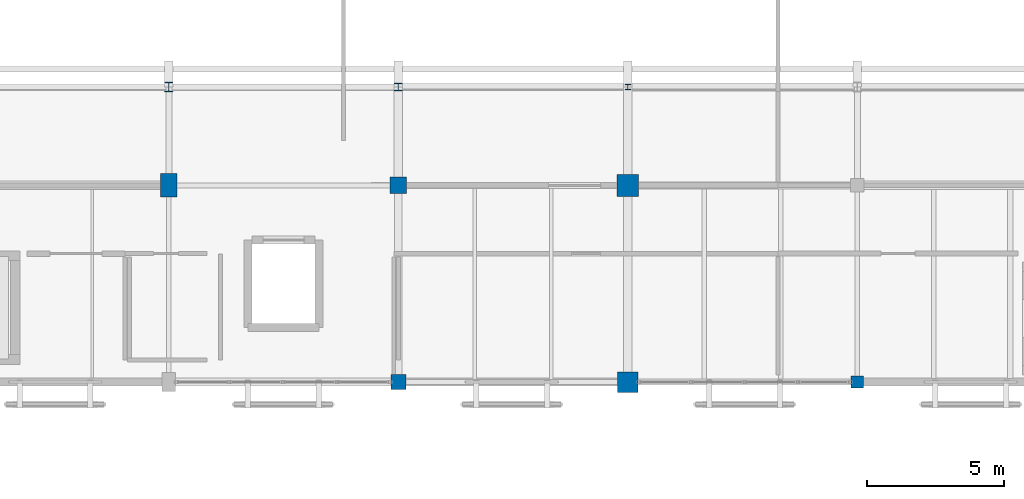
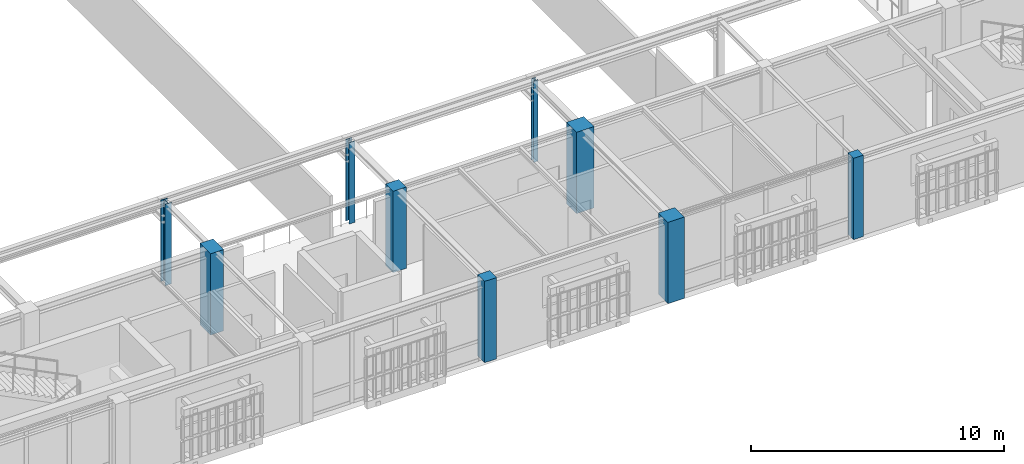
# One storey, part 12 of 170: 9 columns.
"""IFC4 building model written with IfcOpenShell, lengths in metres."""

from ifc_helpers import new_model, si_unit, direction, frame, origin, origin_2d, place, context, subcontext, project, spatial, rectangle, i_section, extrude, material, material_profile, profile_set, type_object, element, save


model = new_model("IFC4")

# Units and contexts
model_context = context("Model", 3, precision=1e-05, world=origin(), true_north=direction((0.0, 1.0)))
body_context = subcontext(model_context, "Body", "Model", "MODEL_VIEW")
ifc_project = project(units=[si_unit("LENGTHUNIT", "METRE"), si_unit("AREAUNIT", "SQUARE_METRE"), si_unit("VOLUMEUNIT", "CUBIC_METRE"), si_unit("PLANEANGLEUNIT", "RADIAN"), si_unit("MASSUNIT", "GRAM", prefix="KILO")], contexts=[model_context])

# Site, building, storey
site_placement = place(None, origin())
site = spatial("IfcSite", under=ifc_project, at=site_placement, CompositionType="ELEMENT")
building_placement = place(site_placement, origin())
building = spatial("IfcBuilding", under=site, at=building_placement, Name="Mazaris Harbour Polytechnic", CompositionType="ELEMENT")
storey_placement = place(building_placement, frame((0.0, 0.0, 5.39990234375)))
storey = spatial("IfcBuildingStorey", under=building, at=storey_placement, Name="L01", CompositionType="ELEMENT", Elevation=5.39990234375)

# Columns
ifc_material_1 = material(Name="Concrete C40/50", Category="concrete")
ifc_material_profile_1 = material_profile(ifc_material_1, rectangle(XDim=0.449951171875, YDim=0.449951171875, at=origin_2d()), Name="RECT450x450")
ifc_profile_set_1 = profile_set([ifc_material_profile_1], Name="Concrete C40/50")
column_type_1 = type_object("IfcColumnType", Name="RC Column 450x450 Exterior", PredefinedType="COLUMN", material=ifc_profile_set_1)
column_1_placement = place(storey_placement, frame((96.0, 75.60009765625, 0.0), z_axis=(0.0, 0.0, 1.0), x_axis=(1.0, 0.0, 0.0)))
element("IfcColumn", 1, at=column_1_placement, inside=storey, type_object=column_type_1, Name="V1 L01 Column 139", PredefinedType="COLUMN", context=body_context, shape_type="SweptSolid", body=[
    extrude(rectangle(XDim=0.449951171875, YDim=0.449951171875, at=origin_2d()), origin(), (0.0, 0.0, 1.0), 3.920166015625),
])
ifc_material_2 = material(Name="Concrete C40/50", Category="concrete")
ifc_material_profile_2 = material_profile(ifc_material_2, rectangle(XDim=0.550048828125, YDim=0.550048828125, at=origin_2d()), Name="RECT550x550")
ifc_profile_set_2 = profile_set([ifc_material_profile_2], Name="Concrete C40/50")
column_type_2 = type_object("IfcColumnType", Name="RC Column 550x550 Exterior", PredefinedType="COLUMN", material=ifc_profile_set_2)
column_2_placement = place(storey_placement, frame((79.199951171875, 75.60009765625, 0.0), z_axis=(0.0, 0.0, 1.0), x_axis=(1.0, 0.0, 0.0)))
element("IfcColumn", 2, at=column_2_placement, inside=storey, type_object=column_type_2, Name="V1 L01 Column 131", PredefinedType="COLUMN", context=body_context, shape_type="SweptSolid", body=[
    extrude(rectangle(XDim=0.550048828125, YDim=0.550048828125, at=origin_2d()), origin(), (0.0, 0.0, 1.0), 3.920166015625),
])
ifc_material_3 = material(Name="Concrete C40/50", Category="concrete")
ifc_material_profile_3 = material_profile(ifc_material_3, rectangle(XDim=0.60009765625, YDim=0.60009765625, at=origin_2d()), Name="RECT600x600")
ifc_profile_set_3 = profile_set([ifc_material_profile_3], Name="Concrete C40/50")
column_type_3 = type_object("IfcColumnType", Name="RC Column 600x600", PredefinedType="COLUMN", material=ifc_profile_set_3)
column_3_placement = place(storey_placement, frame((79.199951171875, 82.800048828125, 0.0), z_axis=(0.0, 0.0, 1.0), x_axis=(1.0, 0.0, 0.0)))
element("IfcColumn", 3, at=column_3_placement, inside=storey, type_object=column_type_3, Name="V1 L01 Column 132", PredefinedType="COLUMN", context=body_context, shape_type="SweptSolid", body=[
    extrude(rectangle(XDim=0.60009765625, YDim=0.60009765625, at=origin_2d()), origin(), (0.0, 0.0, 1.0), 3.920166015625),
])
ifc_material_4 = material(Name="Concrete C40/50", Category="concrete")
ifc_material_profile_4 = material_profile(ifc_material_4, rectangle(XDim=0.60009765625, YDim=0.85009765625, at=origin_2d()), Name="RECT600x850")
ifc_profile_set_4 = profile_set([ifc_material_profile_4], Name="Concrete C40/50")
column_type_4 = type_object("IfcColumnType", Name="RC Column 600x850", PredefinedType="COLUMN", material=ifc_profile_set_4)
column_4_placement = place(storey_placement, frame((70.800048828125, 82.800048828125, 0.0), z_axis=(0.0, 0.0, 1.0), x_axis=(1.0, 0.0, 0.0)))
element("IfcColumn", 4, at=column_4_placement, inside=storey, type_object=column_type_4, Name="V1 L01 Column 128", PredefinedType="COLUMN", context=body_context, shape_type="SweptSolid", body=[
    extrude(rectangle(XDim=0.60009765625, YDim=0.85009765625, at=origin_2d()), origin(), (0.0, 0.0, 1.0), 3.920166015625),
])
ifc_material_5 = material(Name="Concrete C40/50", Category="concrete")
ifc_material_profile_5 = material_profile(ifc_material_5, rectangle(XDim=0.75, YDim=0.75, at=origin_2d()), Name="RECT750x750")
ifc_profile_set_5 = profile_set([ifc_material_profile_5], Name="Concrete C40/50")
column_type_5 = type_object("IfcColumnType", Name="RC Column 750x750 Exterior", PredefinedType="COLUMN", material=ifc_profile_set_5)
column_5_placement = place(storey_placement, frame((87.60009765625, 75.60009765625, 0.0), z_axis=(0.0, 0.0, 1.0), x_axis=(1.0, 0.0, 0.0)))
element("IfcColumn", 5, at=column_5_placement, inside=storey, type_object=column_type_5, Name="V1 L01 Column 135", PredefinedType="COLUMN", context=body_context, shape_type="SweptSolid", body=[
    extrude(rectangle(XDim=0.75, YDim=0.75, at=origin_2d()), origin(), (0.0, 0.0, 1.0), 3.920166015625),
])
ifc_material_6 = material(Name="Concrete C40/50", Category="concrete")
ifc_material_profile_6 = material_profile(ifc_material_6, rectangle(XDim=0.800048828125, YDim=0.800048828125, at=origin_2d()), Name="RECT800x800")
ifc_profile_set_6 = profile_set([ifc_material_profile_6], Name="Concrete C40/50")
column_type_6 = type_object("IfcColumnType", Name="RC Column 800x800", PredefinedType="COLUMN", material=ifc_profile_set_6)
column_6_placement = place(storey_placement, frame((87.60009765625, 82.800048828125, 0.0), z_axis=(0.0, 0.0, 1.0), x_axis=(1.0, 0.0, 0.0)))
element("IfcColumn", 6, at=column_6_placement, inside=storey, type_object=column_type_6, Name="V1 L01 Column 136", PredefinedType="COLUMN", context=body_context, shape_type="SweptSolid", body=[
    extrude(rectangle(XDim=0.800048828125, YDim=0.800048828125, at=origin_2d()), origin(), (0.0, 0.0, 1.0), 3.920166015625),
])
ifc_material_7 = material(Name="Steel S355", Category="steel")
ifc_material_profile_7 = material_profile(ifc_material_7, i_section(OverallWidth=0.199951171875, OverallDepth=0.199951171875, WebThickness=0.009033203125, FlangeThickness=0.014892578125, FilletRadius=0.01806640625, at=origin_2d()), Name="HEB 200")
ifc_profile_set_7 = profile_set([ifc_material_profile_7], Name="Steel S355")
column_type_7 = type_object("IfcColumnType", Name="Steel Column HEB200", PredefinedType="COLUMN", material=ifc_profile_set_7)
column_7_placement = place(storey_placement, frame((87.60009765625, 86.39990234375, 0.0), z_axis=(0.0, 0.0, 1.0), x_axis=(1.0, 0.0, 0.0)))
element("IfcColumn", 7, at=column_7_placement, inside=storey, type_object=column_type_7, Name="V1 L01 Column 137", PredefinedType="COLUMN", context=body_context, shape_type="SweptSolid", body=[
    extrude(i_section(OverallWidth=0.199951171875, OverallDepth=0.199951171875, WebThickness=0.009033203125, FlangeThickness=0.014892578125, FilletRadius=0.01806640625, at=origin_2d()), origin(), (0.0, 0.0, 1.0), 3.920166015625),
])
ifc_material_8 = material(Name="Steel S355", Category="steel")
ifc_material_profile_8 = material_profile(ifc_material_8, i_section(OverallWidth=0.280029296875, OverallDepth=0.280029296875, WebThickness=0.010498046875, FlangeThickness=0.01806640625, FilletRadius=0.02392578125, at=origin_2d()), Name="HEB 280")
ifc_profile_set_8 = profile_set([ifc_material_profile_8], Name="Steel S355")
column_type_8 = type_object("IfcColumnType", Name="Steel Column HEB280", PredefinedType="COLUMN", material=ifc_profile_set_8)
column_8_placement = place(storey_placement, frame((79.199951171875, 86.39990234375, 0.0), z_axis=(0.0, 0.0, 1.0), x_axis=(1.0, 0.0, 0.0)))
element("IfcColumn", 8, at=column_8_placement, inside=storey, type_object=column_type_8, Name="V1 L01 Column 133", PredefinedType="COLUMN", context=body_context, shape_type="SweptSolid", body=[
    extrude(i_section(OverallWidth=0.280029296875, OverallDepth=0.280029296875, WebThickness=0.010498046875, FlangeThickness=0.01806640625, FilletRadius=0.02392578125, at=origin_2d()), origin(), (0.0, 0.0, 1.0), 3.920166015625),
])
ifc_material_9 = material(Name="Steel S355", Category="steel")
ifc_material_profile_9 = material_profile(ifc_material_9, i_section(OverallWidth=0.300048828125, OverallDepth=0.360107421875, WebThickness=0.012451171875, FlangeThickness=0.0224609375, FilletRadius=0.027099609375, at=origin_2d()), Name="HEB 360")
ifc_profile_set_9 = profile_set([ifc_material_profile_9], Name="Steel S355")
column_type_9 = type_object("IfcColumnType", Name="Steel Column HEB360", PredefinedType="COLUMN", material=ifc_profile_set_9)
column_9_placement = place(storey_placement, frame((70.800048828125, 86.39990234375, 0.0), z_axis=(0.0, 0.0, 1.0), x_axis=(1.0, 0.0, 0.0)))
element("IfcColumn", 9, at=column_9_placement, inside=storey, type_object=column_type_9, Name="V1 L01 Column 129", PredefinedType="COLUMN", context=body_context, shape_type="SweptSolid", body=[
    extrude(i_section(OverallWidth=0.300048828125, OverallDepth=0.360107421875, WebThickness=0.012451171875, FlangeThickness=0.0224609375, FilletRadius=0.027099609375, at=origin_2d()), origin(), (0.0, 0.0, 1.0), 3.920166015625),
])

save(model, "model.ifc")
